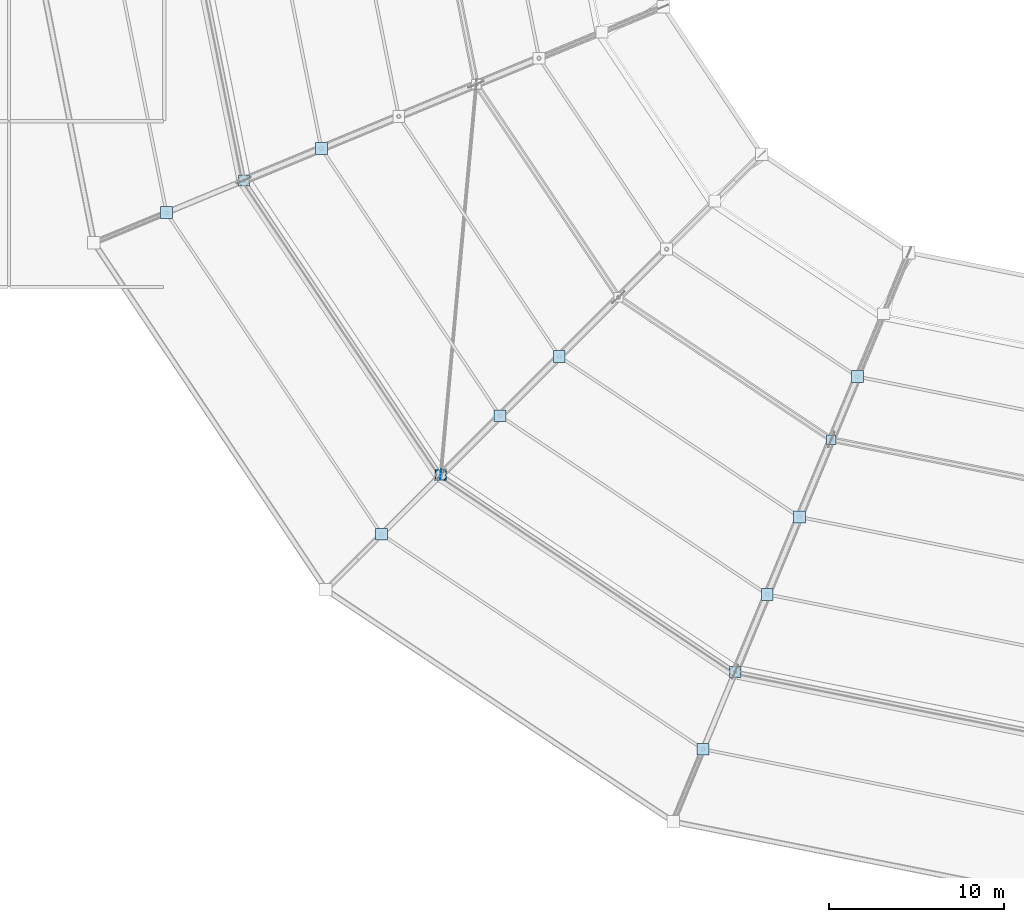
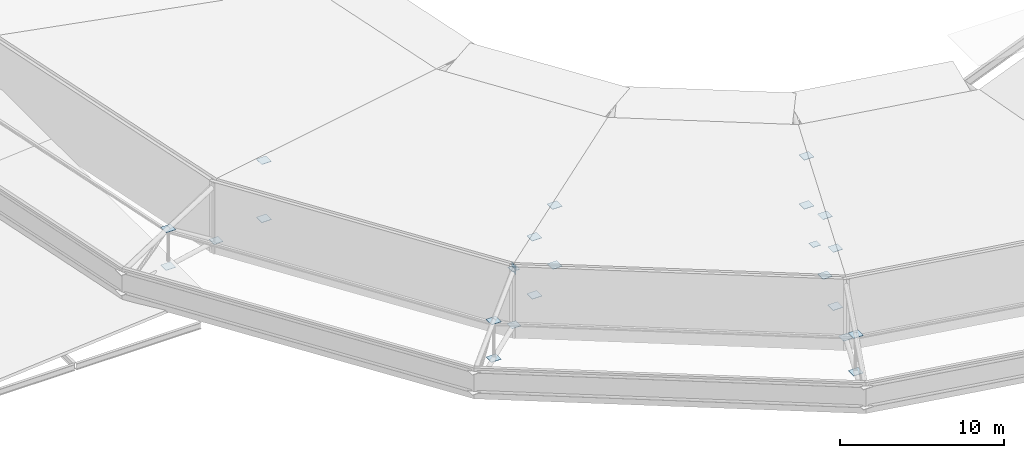
# One storey, part 124 of 146: 24 plates.
"""IFC4 building model written with IfcOpenShell, lengths in metres."""

from ifc_helpers import new_model, si_unit, direction, frame, origin, origin_2d, place, context, subcontext, project, spatial, rectangle, extrude, material, layer, layer_set, type_object, element, save


model = new_model("IFC4")

# Units and contexts
model_context = context("Model", 3, precision=1e-05, world=origin(), true_north=direction((0.0, 1.0)))
body_context = subcontext(model_context, "Body", "Model", "MODEL_VIEW")
ifc_project = project(units=[si_unit("LENGTHUNIT", "METRE"), si_unit("AREAUNIT", "SQUARE_METRE"), si_unit("VOLUMEUNIT", "CUBIC_METRE"), si_unit("PLANEANGLEUNIT", "RADIAN"), si_unit("MASSUNIT", "GRAM", prefix="KILO")], contexts=[model_context])

# Site, building, storey
site_placement = place(None, origin())
site = spatial("IfcSite", under=ifc_project, at=site_placement, CompositionType="ELEMENT")
building_placement = place(site_placement, origin())
building = spatial("IfcBuilding", under=site, at=building_placement, Name="Candeia Ridge Stadium", CompositionType="ELEMENT")
storey_placement = place(building_placement, frame((0.0, 0.0, 31.800048828125)))
storey = spatial("IfcBuildingStorey", under=building, at=storey_placement, Name="RF", CompositionType="ELEMENT", Elevation=31.800048828125)

# Plates
ifc_material = material(Name="Steel ASTM A572 Grade 50", Category="steel")
ifc_layer_1 = layer(ifc_material, 0.02490234375, Name="Steel ASTM A572 Grade 50", Category="steel")
ifc_layer_set_1 = layer_set([ifc_layer_1], Name="Steel ASTM A572 Grade 50")
plate_type_1 = type_object("IfcPlateType", Name="Hollow Section End Closure Plate CP1", PredefinedType="SHEET", material=ifc_layer_set_1)
for number, where, z_axis, x_axis, name in (
    (1, (22.958251953125, 51.100341796875, 0.387451171875), (0.0, 0.0, 1.0), (1.0, 0.0, 0.0), "Hollow section end closure plate MCAP-T-BC-OU-15"),
    (2, (34.23046875, 34.23046875, 0.387451171875), (0.0, 0.0, 1.0), (1.0, 0.0, 0.0), "Hollow section end closure plate MCAP-T-BC-OU-16"),
):
    element("IfcPlate", number, at=place(storey_placement, frame(where, z_axis=z_axis, x_axis=x_axis)), inside=storey, type_object=plate_type_1, Name=name, PredefinedType="SHEET", context=body_context, shape_type="SweptSolid", body=[
        extrude(rectangle(XDim=0.639892578125, YDim=0.639892578125, at=origin_2d()), origin(), (0.0, 0.0, 1.0), 0.02490234375),
    ])
plate_1_placement = place(storey_placement, frame((56.611083984375, 36.26220703125, -2.676513671875), z_axis=(0.0, 0.0, 1.0), x_axis=(1.0, 0.0, 0.0)))
element("IfcPlate", 3, at=plate_1_placement, inside=storey, type_object=plate_type_1, Name="Hollow section end closure plate MCAP-T-BC-MD-17", PredefinedType="SHEET", context=body_context, shape_type="SweptSolid", body=[
    extrude(rectangle(XDim=0.5400390625, YDim=0.5400390625, at=origin_2d()), origin(), (0.0, 0.0, 1.0), 0.02490234375),
])
plate_2_placement = place(storey_placement, frame((51.100341796875, 22.958251953125, 0.387451171875), z_axis=(0.0, 0.0, 1.0), x_axis=(1.0, 0.0, 0.0)))
element("IfcPlate", 4, at=plate_2_placement, inside=storey, type_object=plate_type_1, Name="Hollow section end closure plate MCAP-T-BC-OU-17", PredefinedType="SHEET", context=body_context, shape_type="SweptSolid", body=[
    extrude(rectangle(XDim=0.639892578125, YDim=0.639892578125, at=origin_2d()), origin(), (0.0, 0.0, 1.0), 0.02490234375),
])
ifc_layer_2 = layer(ifc_material, 0.02490234375, Name="Steel ASTM A572 Grade 50", Category="steel")
ifc_layer_set_2 = layer_set([ifc_layer_2], Name="Steel ASTM A572 Grade 50")
plate_type_2 = type_object("IfcPlateType", Name="Hollow Section End Closure Plate CP3", PredefinedType="SHEET", material=ifc_layer_set_2)
for number, where, z_axis, x_axis, name in (
    (5, (27.392822265625, 52.937255859375, 3.699462890625), (0.0, 0.0, 1.0), (1.0, 0.0, 0.0), "Hollow section end closure plate NCAP-T-15-5"),
    (6, (27.392822265625, 52.937255859375, -0.6337890625), (0.0, 0.0, 1.0), (1.0, 0.0, 0.0), "Hollow section end closure plate NCAP-B-15-5"),
    (7, (18.523681640625, 49.263671875, 3.94580078125), (0.0, 0.0, 1.0), (1.0, 0.0, 0.0), "Hollow section end closure plate NCAP-T-15-7"),
    (8, (18.523681640625, 49.263671875, 1.139404296875), (0.0, 0.0, 1.0), (1.0, 0.0, 0.0), "Hollow section end closure plate NCAP-B-15-7"),
):
    element("IfcPlate", number, at=place(storey_placement, frame(where, z_axis=z_axis, x_axis=x_axis)), inside=storey, type_object=plate_type_2, Name=name, PredefinedType="SHEET", context=body_context, shape_type="SweptSolid", body=[
        extrude(rectangle(XDim=0.679931640625, YDim=0.679931640625, at=origin_2d()), origin(), (0.0, 0.0, 1.0), 0.02490234375),
    ])
plate_3_placement = place(storey_placement, frame((34.232177734375, 34.250244140625, 4.585205078125), z_axis=(0.0, 0.0, 1.0), x_axis=(1.0, 0.0, 0.0)))
element("IfcPlate", 9, at=plate_3_placement, inside=storey, type_object=plate_type_2, Name="Hollow section end closure plate WBCAP-B-15", PredefinedType="SHEET", context=body_context, shape_type="SweptSolid", body=[
    extrude(rectangle(XDim=0.550048828125, YDim=0.550048828125, at=origin_2d()), origin(), (0.0, 0.0, 1.0), 0.02490234375),
])
for number, where, z_axis, x_axis, name in (
    (10, (41.0185546875, 41.0185546875, 2.8115234375), (0.0, 0.0, 1.0), (1.0, 0.0, 0.0), "Hollow section end closure plate NCAP-T-16-4"),
    (11, (41.0185546875, 41.0185546875, -1.6552734375), (0.0, 0.0, 1.0), (1.0, 0.0, 0.0), "Hollow section end closure plate NCAP-B-16-4"),
    (12, (37.62451171875, 37.62451171875, 3.699462890625), (0.0, 0.0, 1.0), (1.0, 0.0, 0.0), "Hollow section end closure plate NCAP-T-16-5"),
    (13, (37.62451171875, 37.62451171875, -0.6337890625), (0.0, 0.0, 1.0), (1.0, 0.0, 0.0), "Hollow section end closure plate NCAP-B-16-5"),
    (14, (30.83642578125, 30.83642578125, 3.94580078125), (0.0, 0.0, 1.0), (1.0, 0.0, 0.0), "Hollow section end closure plate NCAP-T-16-7"),
    (15, (30.83642578125, 30.83642578125, 1.139404296875), (0.0, 0.0, 1.0), (1.0, 0.0, 0.0), "Hollow section end closure plate NCAP-B-16-7"),
    (16, (58.103515625, 39.865234375, 1.201904296875), (0.0, 0.0, 1.0), (1.0, 0.0, 0.0), "Hollow section end closure plate NCAP-T-17-2"),
    (17, (58.103515625, 39.865234375, -2.45654296875), (0.0, 0.0, 1.0), (1.0, 0.0, 0.0), "Hollow section end closure plate NCAP-B-17-2"),
    (18, (54.774169921875, 31.827392578125, 2.8115234375), (0.0, 0.0, 1.0), (1.0, 0.0, 0.0), "Hollow section end closure plate NCAP-T-17-4"),
    (19, (54.774169921875, 31.827392578125, -1.6552734375), (0.0, 0.0, 1.0), (1.0, 0.0, 0.0), "Hollow section end closure plate NCAP-B-17-4"),
    (20, (52.937255859375, 27.392822265625, 3.699462890625), (0.0, 0.0, 1.0), (1.0, 0.0, 0.0), "Hollow section end closure plate NCAP-T-17-5"),
    (21, (52.937255859375, 27.392822265625, -0.6337890625), (0.0, 0.0, 1.0), (1.0, 0.0, 0.0), "Hollow section end closure plate NCAP-B-17-5"),
    (22, (49.263671875, 18.523681640625, 3.94580078125), (0.0, 0.0, 1.0), (1.0, 0.0, 0.0), "Hollow section end closure plate NCAP-T-17-7"),
    (23, (49.263671875, 18.523681640625, 1.139404296875), (0.0, 0.0, 1.0), (1.0, 0.0, 0.0), "Hollow section end closure plate NCAP-B-17-7"),
):
    element("IfcPlate", number, at=place(storey_placement, frame(where, z_axis=z_axis, x_axis=x_axis)), inside=storey, type_object=plate_type_2, Name=name, PredefinedType="SHEET", context=body_context, shape_type="SweptSolid", body=[
        extrude(rectangle(XDim=0.679931640625, YDim=0.679931640625, at=origin_2d()), origin(), (0.0, 0.0, 1.0), 0.02490234375),
    ])
ifc_layer_3 = layer(ifc_material, 0.02392578125, Name="Steel ASTM A572 Grade 50", Category="steel")
ifc_layer_set_3 = layer_set([ifc_layer_3], Name="Steel ASTM A572 Grade 50")
plate_type_3 = type_object("IfcPlateType", Name="Roof Truss Chord-Web Node Gusset ND-3", PredefinedType="USERDEFINED", material=ifc_layer_set_3)
plate_4_placement = place(storey_placement, frame((34.232177734375, 34.250244140625, 4.297607421875), z_axis=(0.0, 0.0, 1.0), x_axis=(-0.090406618864, -0.995904936862, 0.0)))
element("IfcPlate", 24, at=plate_4_placement, inside=storey, type_object=plate_type_3, Name="Roof wind brace end gusset B bay 16", ObjectType="GUSSET PLATE", PredefinedType="USERDEFINED", context=body_context, shape_type="SweptSolid", body=[
    extrude(rectangle(XDim=0.60009765625, YDim=0.02392578125, at=origin_2d()), origin(), (0.0, 0.0, 1.0), 0.60009765625),
])

save(model, "model.ifc")
